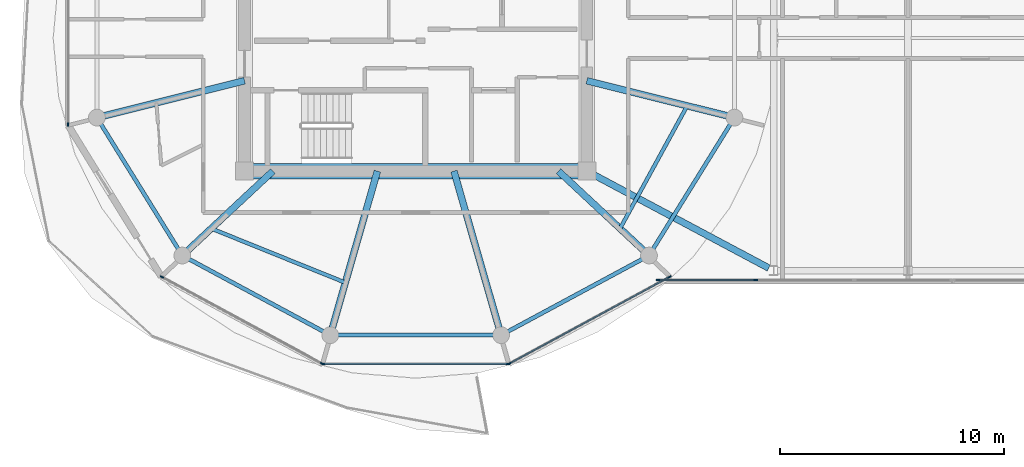
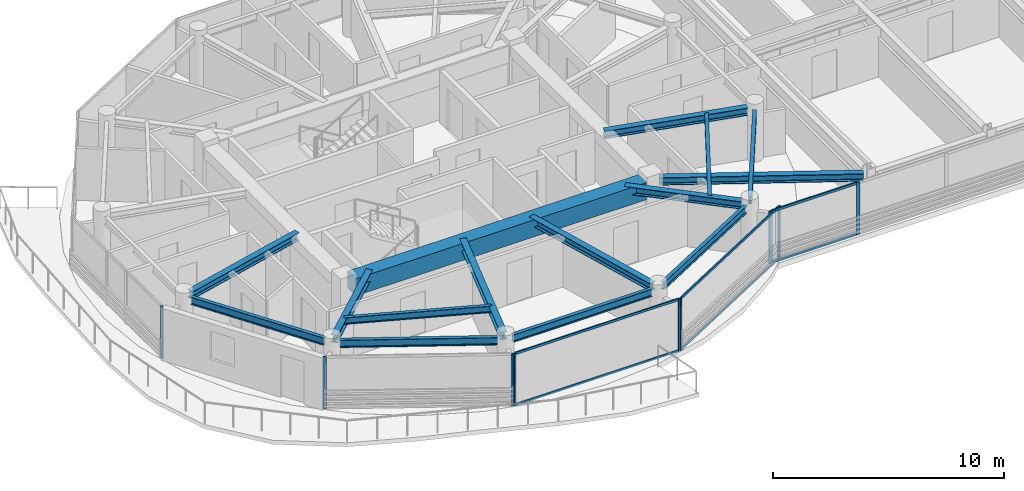
# One storey, part 3 of 23: 15 beams, 15 members, 5 elements without a shape of their own.
"""IFC4 building model written with IfcOpenShell, lengths in metres."""

from ifc_helpers import new_model, si_unit, direction, frame, origin, origin_2d, place, context, subcontext, project, spatial, rectangle, i_section, extrude, source, transform, mapped, material, layer, layer_set, material_profile, profile_set, type_object, type_shapes, element, aggregate, save


model = new_model("IFC4")

# Units and contexts
model_context = context("Model", 3, precision=1e-05, world=origin(), true_north=direction((0.0, 1.0)))
body_context = subcontext(model_context, "Body", "Model", "MODEL_VIEW")
ifc_project = project(units=[si_unit("LENGTHUNIT", "METRE"), si_unit("AREAUNIT", "SQUARE_METRE"), si_unit("VOLUMEUNIT", "CUBIC_METRE"), si_unit("PLANEANGLEUNIT", "RADIAN"), si_unit("MASSUNIT", "GRAM", prefix="KILO")], contexts=[model_context])

# Site, building, storey
site_placement = place(None, origin())
site = spatial("IfcSite", under=ifc_project, at=site_placement, CompositionType="ELEMENT")
building_placement = place(site_placement, origin())
building = spatial("IfcBuilding", under=site, at=building_placement, Name="Norrkilde Senior Care Towers", CompositionType="ELEMENT")
storey_placement = place(building_placement, frame((0.0, 0.0, 216.949951171875)))
storey = spatial("IfcBuildingStorey", under=building, at=storey_placement, Name="L67", CompositionType="ELEMENT", Elevation=216.949951171875)

# Beams
ifc_material_1 = material(Name="Concrete C60/75", Category="concrete")
ifc_material_profile_1 = material_profile(ifc_material_1, rectangle(XDim=0.699951171875, YDim=0.89990234375, at=origin_2d()), Name="RC BM 700x900")
ifc_profile_set_1 = profile_set([ifc_material_profile_1], Name="Concrete C60/75")
beam_type_1 = type_object("IfcBeamType", Name="Core Coupling Girder 700x900", PredefinedType="USERDEFINED", material=ifc_profile_set_1)
shared_shape_1 = source(origin(), body_context, "Body", "SweptSolid", [
    extrude(rectangle(XDim=0.699951171875, YDim=0.89990234375, at=origin_2d()), origin(), (0.0, 0.0, 1.0), 14.5400390625),
])
type_shapes(beam_type_1, [shared_shape_1])
beam_1_placement = place(storey_placement, frame((-35.27001953125, -5.949951171875, 2.31005859375), z_axis=(1.0, 0.0, 0.0), x_axis=(0.0, 1.0, 0.0)))
element("IfcBeam", 1, at=beam_1_placement, inside=storey, type_object=beam_type_1, Name="L67 Core W S Coupling Girder", ObjectType="GIRDER", PredefinedType="USERDEFINED", context=body_context, shape_type="MappedRepresentation", body=[
    mapped(shared_shape_1, transform((0.0, 0.0, 0.0), x_axis=(1.0, 0.0, 0.0), y_axis=(0.0, 1.0, 0.0), z_axis=(0.0, 0.0, 1.0), scale=1.0)),
])
ifc_material_2 = material(Name="Steel S355", Category="steel")
ifc_material_profile_2 = material_profile(ifc_material_2, i_section(OverallWidth=0.179931640625, OverallDepth=0.39990234375, WebThickness=0.008544921875, FlangeThickness=0.013427734375, FilletRadius=0.02099609375, at=origin_2d()), Name="IPE 400")
ifc_profile_set_2 = profile_set([ifc_material_profile_2], Name="Steel S355")
beam_type_2 = type_object("IfcBeamType", Name="Perimeter Ring Spandrel Z4 IPE400", PredefinedType="SPANDREL", material=ifc_profile_set_2)
shared_shape_2 = source(origin(), body_context, "Body", "SweptSolid", [
    extrude(i_section(OverallWidth=0.179931640625, OverallDepth=0.39990234375, WebThickness=0.008544921875, FlangeThickness=0.013427734375, FilletRadius=0.02099609375, at=origin_2d()), origin(), (0.0, 0.0, 1.0), 6.58056640625),
])
for number, where, z_axis, x_axis, name in (
    (2, (-42.071044921875, -3.843505859375, 2.56005859375), (0.526529583789, -0.850156807533, 0.0), (0.850156807533, 0.526529583789, 0.0), "L67 Drum W Perimeter Spandrel 07"),
    (3, (-17.393798828125, -9.43798828125, 2.56005859375), (0.526529583789, 0.850156807533, 0.0), (-0.850156807533, 0.526529583789, 0.0), "L67 Drum W Perimeter Spandrel 11"),
):
    element("IfcBeam", number, at=place(storey_placement, frame(where, z_axis=z_axis, x_axis=x_axis)), inside=storey, type_object=beam_type_2, Name=name, PredefinedType="SPANDREL", context=body_context, shape_type="MappedRepresentation", body=[
        mapped(shared_shape_2, transform((0.0, 0.0, 0.0), x_axis=(1.0, 0.0, 0.0), y_axis=(0.0, 1.0, 0.0), z_axis=(0.0, 0.0, 1.0), scale=1.0)),
    ])
ifc_material_profile_3 = material_profile(ifc_material_2, i_section(OverallWidth=0.300048828125, OverallDepth=0.39990234375, WebThickness=0.013427734375, FlangeThickness=0.02392578125, FilletRadius=0.027099609375, at=origin_2d()), Name="HEB 400")
ifc_profile_set_3 = profile_set([ifc_material_profile_3], Name="Steel S355")
beam_type_3 = type_object("IfcBeamType", Name="Radial Floor Beam Z4 HEB400", PredefinedType="BEAM", material=ifc_profile_set_3)
shared_shape_3 = source(origin(), body_context, "Body", "SweptSolid", [
    extrude(i_section(OverallWidth=0.300048828125, OverallDepth=0.39990234375, WebThickness=0.013427734375, FlangeThickness=0.02392578125, FilletRadius=0.027099609375, at=origin_2d()), origin(), (0.0, 0.0, 1.0), 6.465087890625),
])
for number, where, z_axis, x_axis, name in (
    (4, (-35.64990234375, -1.910888671875, 2.56005859375), (-0.970195788563, -0.242322371758, 0.0), (0.242322371758, -0.970195788563, 0.0), "L67 Drum W Radial Floor Beam 07"),
    (5, (-20.35009765625, -1.910888671875, 2.56005859375), (0.970195788563, -0.242322371758, 0.0), (0.242322371758, 0.970195788563, 0.0), "L67 Drum W Radial Floor Beam 12"),
):
    element("IfcBeam", number, at=place(storey_placement, frame(where, z_axis=z_axis, x_axis=x_axis)), inside=storey, type_object=beam_type_3, Name=name, PredefinedType="BEAM", context=body_context, shape_type="MappedRepresentation", body=[
        mapped(shared_shape_3, transform((0.0, 0.0, 0.0), x_axis=(1.0, 0.0, 0.0), y_axis=(0.0, 1.0, 0.0), z_axis=(0.0, 0.0, 1.0), scale=1.0)),
    ])
shared_shape_4 = source(origin(), body_context, "Body", "SweptSolid", [
    extrude(i_section(OverallWidth=0.179931640625, OverallDepth=0.39990234375, WebThickness=0.008544921875, FlangeThickness=0.013427734375, FilletRadius=0.02099609375, at=origin_2d()), origin(), (0.0, 0.0, 1.0), 6.839111328125),
])
for number, where, z_axis, x_axis, name in (
    (6, (-38.134765625, -9.881591796875, 2.56005859375), (0.880563930732, -0.473927382511, 0.0), (0.473927382511, 0.880563930732, 0.0), "L67 Drum W Perimeter Spandrel 08"),
    (7, (-23.887451171875, -13.122802734375, 2.56005859375), (0.880563930732, 0.473927382511, 0.0), (-0.473927382511, 0.880563930732, 0.0), "L67 Drum W Perimeter Spandrel 10"),
):
    element("IfcBeam", number, at=place(storey_placement, frame(where, z_axis=z_axis, x_axis=x_axis)), inside=storey, type_object=beam_type_2, Name=name, PredefinedType="SPANDREL", context=body_context, shape_type="MappedRepresentation", body=[
        mapped(shared_shape_4, transform((0.0, 0.0, 0.0), x_axis=(1.0, 0.0, 0.0), y_axis=(0.0, 1.0, 0.0), z_axis=(0.0, 0.0, 1.0), scale=1.0)),
    ])
shared_shape_5 = source(origin(), body_context, "Body", "SweptSolid", [
    extrude(i_section(OverallWidth=0.300048828125, OverallDepth=0.39990234375, WebThickness=0.013427734375, FlangeThickness=0.02392578125, FilletRadius=0.027099609375, at=origin_2d()), origin(), (0.0, 0.0, 1.0), 5.197998046875),
])
for number, where, z_axis, x_axis, name in (
    (8, (-34.3828125, -5.949951171875, 2.56005859375), (-0.731448749334, -0.681896419625, 0.0), (0.681896419625, -0.731448749334, 0.0), "L67 Drum W Radial Floor Beam 08"),
    (9, (-21.6171875, -5.949951171875, 2.56005859375), (0.731448749334, -0.681896419625, 0.0), (0.681896419625, 0.731448749334, 0.0), "L67 Drum W Radial Floor Beam 11"),
):
    element("IfcBeam", number, at=place(storey_placement, frame(where, z_axis=z_axis, x_axis=x_axis)), inside=storey, type_object=beam_type_3, Name=name, PredefinedType="BEAM", context=body_context, shape_type="MappedRepresentation", body=[
        mapped(shared_shape_5, transform((0.0, 0.0, 0.0), x_axis=(1.0, 0.0, 0.0), y_axis=(0.0, 1.0, 0.0), z_axis=(0.0, 0.0, 1.0), scale=1.0)),
    ])
shared_shape_6 = source(origin(), body_context, "Body", "SweptSolid", [
    extrude(i_section(OverallWidth=0.179931640625, OverallDepth=0.39990234375, WebThickness=0.008544921875, FlangeThickness=0.013427734375, FilletRadius=0.02099609375, at=origin_2d()), origin(), (0.0, 0.0, 1.0), 6.96533203125),
])
type_shapes(beam_type_2, [shared_shape_2, shared_shape_4, shared_shape_6])
beam_2_placement = place(storey_placement, frame((-31.482666015625, -13.281494140625, 2.56005859375), z_axis=(1.0, 0.0, 0.0), x_axis=(0.0, 1.0, 0.0)))
element("IfcBeam", 10, at=beam_2_placement, inside=storey, type_object=beam_type_2, Name="L67 Drum W Perimeter Spandrel 09", PredefinedType="SPANDREL", context=body_context, shape_type="MappedRepresentation", body=[
    mapped(shared_shape_6, transform((0.0, 0.0, 0.0), x_axis=(1.0, 0.0, 0.0), y_axis=(0.0, 1.0, 0.0), z_axis=(0.0, 0.0, 1.0), scale=1.0)),
])
shared_shape_7 = source(origin(), body_context, "Body", "SweptSolid", [
    extrude(i_section(OverallWidth=0.300048828125, OverallDepth=0.39990234375, WebThickness=0.013427734375, FlangeThickness=0.02392578125, FilletRadius=0.027099609375, at=origin_2d()), origin(), (0.0, 0.0, 1.0), 7.29345703125),
])
for number, where, z_axis, x_axis, name in (
    (11, (-29.710205078125, -5.949951171875, 2.56005859375), (-0.276263751906, -0.961081858836, 0.0), (0.961081858836, -0.276263751906, 0.0), "L67 Drum W Radial Floor Beam 09"),
    (12, (-26.289794921875, -5.949951171875, 2.56005859375), (0.276263751906, -0.961081858836, 0.0), (0.961081858836, 0.276263751906, 0.0), "L67 Drum W Radial Floor Beam 10"),
):
    element("IfcBeam", number, at=place(storey_placement, frame(where, z_axis=z_axis, x_axis=x_axis)), inside=storey, type_object=beam_type_3, Name=name, PredefinedType="BEAM", context=body_context, shape_type="MappedRepresentation", body=[
        mapped(shared_shape_7, transform((0.0, 0.0, 0.0), x_axis=(1.0, 0.0, 0.0), y_axis=(0.0, 1.0, 0.0), z_axis=(0.0, 0.0, 1.0), scale=1.0)),
    ])
ifc_material_profile_4 = material_profile(ifc_material_2, i_section(OverallWidth=0.169921875, OverallDepth=0.360107421875, WebThickness=0.008056640625, FlangeThickness=0.0126953125, FilletRadius=0.01806640625, at=origin_2d()), Name="IPE 360")
ifc_profile_set_4 = profile_set([ifc_material_profile_4], Name="Steel S355")
beam_type_4 = type_object("IfcBeamType", Name="Secondary Floor Joist IPE360", PredefinedType="JOIST", material=ifc_profile_set_4)
shared_shape_8 = source(origin(), body_context, "Body", "SweptSolid", [
    extrude(i_section(OverallWidth=0.169921875, OverallDepth=0.360107421875, WebThickness=0.008056640625, FlangeThickness=0.0126953125, FilletRadius=0.01806640625, at=origin_2d()), origin(), (0.0, 0.0, 1.0), 6.461669921875),
])
beam_3_placement = place(storey_placement, frame((-37.134765625, -8.515380859375, 2.580078125), z_axis=(0.927225942298, -0.374502405772, 0.0), x_axis=(0.374502405772, 0.927225942298, 0.0)))
element("IfcBeam", 13, at=beam_3_placement, inside=storey, type_object=beam_type_4, Name="L67 Drum W Secondary Floor Joist 3", PredefinedType="JOIST", context=body_context, shape_type="MappedRepresentation", body=[
    mapped(shared_shape_8, transform((0.0, 0.0, 0.0), x_axis=(1.0, 0.0, 0.0), y_axis=(0.0, 1.0, 0.0), z_axis=(0.0, 0.0, 1.0), scale=1.0)),
])
shared_shape_9 = source(origin(), body_context, "Body", "SweptSolid", [
    extrude(i_section(OverallWidth=0.169921875, OverallDepth=0.360107421875, WebThickness=0.008056640625, FlangeThickness=0.0126953125, FilletRadius=0.01806640625, at=origin_2d()), origin(), (0.0, 0.0, 1.0), 6.25146484375),
])
type_shapes(beam_type_4, [shared_shape_8, shared_shape_9])
beam_4_placement = place(storey_placement, frame((-18.865234375, -8.515380859375, 2.580078125), z_axis=(0.480115752653, 0.877205143655, 0.0), x_axis=(-0.877205143655, 0.480115752653, 0.0)))
element("IfcBeam", 14, at=beam_4_placement, inside=storey, type_object=beam_type_4, Name="L67 Drum W Secondary Floor Joist 4", PredefinedType="JOIST", context=body_context, shape_type="MappedRepresentation", body=[
    mapped(shared_shape_9, transform((0.0, 0.0, 0.0), x_axis=(1.0, 0.0, 0.0), y_axis=(0.0, 1.0, 0.0), z_axis=(0.0, 0.0, 1.0), scale=1.0)),
])
shared_shape_10 = source(origin(), body_context, "Body", "SweptSolid", [
    extrude(i_section(OverallWidth=0.300048828125, OverallDepth=0.39990234375, WebThickness=0.013427734375, FlangeThickness=0.02392578125, FilletRadius=0.027099609375, at=origin_2d()), origin(), (0.0, 0.0, 1.0), 8.831787109375),
])
type_shapes(beam_type_3, [shared_shape_3, shared_shape_5, shared_shape_7, shared_shape_10])
beam_5_placement = place(storey_placement, frame((-20.0146484375, -6.128662109375, 2.56005859375), z_axis=(0.882492172381, -0.470327083727, 0.0), x_axis=(0.470327083727, 0.882492172381, 0.0)))
element("IfcBeam", 15, at=beam_5_placement, inside=storey, type_object=beam_type_3, Name="L67 Sky-Gate Bridge Girder S1", PredefinedType="BEAM", context=body_context, shape_type="MappedRepresentation", body=[
    mapped(shared_shape_10, transform((0.0, 0.0, 0.0), x_axis=(1.0, 0.0, 0.0), y_axis=(0.0, 1.0, 0.0), z_axis=(0.0, 0.0, 1.0), scale=1.0)),
])

# Curtain wall, members
ifc_material_3 = material(Name="Triple Low-E Insulated Glazing", Category="glass")
ifc_layer_1 = layer(ifc_material_3, 0.18505859375)
ifc_layer_set_1 = layer_set([ifc_layer_1], Name="Triple Low-E Insulated Glazing")
curtain_wall_type_1 = type_object("IfcCurtainWallType", Name="CW6 Zone 4 Crown Pavilion Curtain Wall", PredefinedType="NOTDEFINED", material=ifc_layer_set_1)
curtain_wall_1_placement = place(storey_placement, origin())
curtain_wall_1 = element("IfcCurtainWall", 16, at=curtain_wall_1_placement, inside=storey, type_object=curtain_wall_type_1, Name="L67 Drum W Curtain Wall 08", PredefinedType="NOTDEFINED")
ifc_material_4 = material(Name="Anodised Aluminium", Category="aluminium")
ifc_material_profile_5 = material_profile(ifc_material_4, rectangle(XDim=0.06005859375, YDim=0.1201171875, at=origin_2d()), Name="ALU TRAN 60x120")
ifc_profile_set_5 = profile_set([ifc_material_profile_5], Name="Anodised Aluminium")
member_type_1 = type_object("IfcMemberType", Name="Curtain Wall Transom Typical 60x120", PredefinedType="USERDEFINED", material=ifc_profile_set_5)
shared_shape_11 = source(origin(), body_context, "Body", "SweptSolid", [
    extrude(rectangle(XDim=0.06005859375, YDim=0.1201171875, at=origin_2d()), origin(), (0.0, 0.0, 1.0), 8.19384765625),
])
member_1_placement = place(storey_placement, frame((-23.903076171875, -14.566162109375, 0.030029296875), z_axis=(-1.0, 0.0, 0.0), x_axis=(0.0, -1.0, 0.0)))
member_1 = element("IfcMember", 17, at=member_1_placement, type_object=member_type_1, Name="CW-6 transom 1.1", ObjectType="TRANSOM", PredefinedType="USERDEFINED", context=body_context, shape_type="MappedRepresentation", body=[
    mapped(shared_shape_11, transform((0.0, 0.0, 0.0), x_axis=(1.0, 0.0, 0.0), y_axis=(0.0, 1.0, 0.0), z_axis=(0.0, 0.0, 1.0), scale=1.0)),
])
member_2_placement = place(storey_placement, frame((-23.903076171875, -14.566162109375, 2.72998046875), z_axis=(-1.0, 0.0, 0.0), x_axis=(0.0, -1.0, 0.0)))
member_2 = element("IfcMember", 18, at=member_2_placement, type_object=member_type_1, Name="CW-6 transom 1.2", ObjectType="TRANSOM", PredefinedType="USERDEFINED", context=body_context, shape_type="MappedRepresentation", body=[
    mapped(shared_shape_11, transform((0.0, 0.0, 0.0), x_axis=(1.0, 0.0, 0.0), y_axis=(0.0, 1.0, 0.0), z_axis=(0.0, 0.0, 1.0), scale=1.0)),
])

curtain_wall_2_placement = place(storey_placement, origin())
curtain_wall_2 = element("IfcCurtainWall", 19, at=curtain_wall_2_placement, inside=storey, type_object=curtain_wall_type_1, Name="L67 Drum W Curtain Wall 09", PredefinedType="NOTDEFINED")
shared_shape_12 = source(origin(), body_context, "Body", "SweptSolid", [
    extrude(rectangle(XDim=0.06005859375, YDim=0.1201171875, at=origin_2d()), origin(), (0.0, 0.0, 1.0), 8.0673828125),
])
type_shapes(member_type_1, [shared_shape_11, shared_shape_12])
member_3_placement = place(storey_placement, frame((-16.686767578125, -10.694091796875, 0.030029296875), z_axis=(-0.87937750072, -0.476125205411, 0.0), x_axis=(0.476125205411, -0.87937750072, 0.0)))
member_3 = element("IfcMember", 20, at=member_3_placement, type_object=member_type_1, Name="CW-6 transom 1.1", ObjectType="TRANSOM", PredefinedType="USERDEFINED", context=body_context, shape_type="MappedRepresentation", body=[
    mapped(shared_shape_12, transform((0.0, 0.0, 0.0), x_axis=(1.0, 0.0, 0.0), y_axis=(0.0, 1.0, 0.0), z_axis=(0.0, 0.0, 1.0), scale=1.0)),
])
member_4_placement = place(storey_placement, frame((-16.686767578125, -10.694091796875, 2.72998046875), z_axis=(-0.87937750072, -0.476125205411, 0.0), x_axis=(0.476125205411, -0.87937750072, 0.0)))
member_4 = element("IfcMember", 21, at=member_4_placement, type_object=member_type_1, Name="CW-6 transom 1.2", ObjectType="TRANSOM", PredefinedType="USERDEFINED", context=body_context, shape_type="MappedRepresentation", body=[
    mapped(shared_shape_12, transform((0.0, 0.0, 0.0), x_axis=(1.0, 0.0, 0.0), y_axis=(0.0, 1.0, 0.0), z_axis=(0.0, 0.0, 1.0), scale=1.0)),
])

# Curtain wall, member
curtain_wall_3_placement = place(storey_placement, origin())
curtain_wall_3 = element("IfcCurtainWall", 22, at=curtain_wall_3_placement, inside=storey, type_object=curtain_wall_type_1, Name="L67 Drum W Curtain Wall 05", PredefinedType="NOTDEFINED")
ifc_material_profile_6 = material_profile(ifc_material_4, rectangle(XDim=0.06494140625, YDim=0.14990234375, at=origin_2d()), Name="ALU MULL 65x150")
ifc_profile_set_6 = profile_set([ifc_material_profile_6], Name="Anodised Aluminium")
member_type_2 = type_object("IfcMemberType", Name="Curtain Wall Mullion Z3-Z4 65x150", PredefinedType="MULLION", material=ifc_profile_set_6)
shared_shape_13 = source(origin(), body_context, "Body", "SweptSolid", [
    extrude(rectangle(XDim=0.06494140625, YDim=0.14990234375, at=origin_2d()), origin(), (0.0, 0.0, 1.0), 2.760009765625),
])
type_shapes(member_type_2, [shared_shape_13])
member_5_placement = place(storey_placement, frame((-43.531982421875, -3.87060546875, 0.0), z_axis=(0.0, 0.0, 1.0), x_axis=(-1.0, 0.0, 0.0)))
member_5 = element("IfcMember", 23, at=member_5_placement, type_object=member_type_2, Name="CW-6 mullion 1", PredefinedType="MULLION", context=body_context, shape_type="MappedRepresentation", body=[
    mapped(shared_shape_13, transform((0.0, 0.0, 0.0), x_axis=(1.0, 0.0, 0.0), y_axis=(0.0, 1.0, 0.0), z_axis=(0.0, 0.0, 1.0), scale=1.0)),
])
aggregate(curtain_wall_3, [member_5])

# Curtain wall, members
curtain_wall_4_placement = place(storey_placement, origin())
curtain_wall_4 = element("IfcCurtainWall", 24, at=curtain_wall_4_placement, inside=storey, type_object=curtain_wall_type_1, Name="L67 Drum W Curtain Wall 07", PredefinedType="NOTDEFINED")
member_6_placement = place(storey_placement, frame((-32.1904296875, -14.55078125, 0.0), z_axis=(0.0, 0.0, 1.0), x_axis=(-0.476132676136, -0.879373455772, 0.0)))
member_6 = element("IfcMember", 25, at=member_6_placement, type_object=member_type_2, Name="CW-6 mullion 1", PredefinedType="MULLION", context=body_context, shape_type="MappedRepresentation", body=[
    mapped(shared_shape_13, transform((0.0, 0.0, 0.0), x_axis=(1.0, 0.0, 0.0), y_axis=(0.0, 1.0, 0.0), z_axis=(0.0, 0.0, 1.0), scale=1.0)),
])
member_7_placement = place(storey_placement, frame((-39.341796875, -10.6787109375, 0.0), z_axis=(0.0, 0.0, 1.0), x_axis=(-0.476132676136, -0.879373455772, 0.0)))
member_7 = element("IfcMember", 26, at=member_7_placement, type_object=member_type_2, Name="CW-6 mullion 2", PredefinedType="MULLION", context=body_context, shape_type="MappedRepresentation", body=[
    mapped(shared_shape_13, transform((0.0, 0.0, 0.0), x_axis=(1.0, 0.0, 0.0), y_axis=(0.0, 1.0, 0.0), z_axis=(0.0, 0.0, 1.0), scale=1.0)),
])
aggregate(curtain_wall_4, [member_6, member_7])

# Member
member_8_placement = place(storey_placement, frame((-23.87060546875, -14.566162109375, 0.0), z_axis=(0.0, 0.0, 1.0), x_axis=(0.0, -1.0, 0.0)))
member_8 = element("IfcMember", 27, at=member_8_placement, type_object=member_type_2, Name="CW-6 mullion 1", PredefinedType="MULLION", context=body_context, shape_type="MappedRepresentation", body=[
    mapped(shared_shape_13, transform((0.0, 0.0, 0.0), x_axis=(1.0, 0.0, 0.0), y_axis=(0.0, 1.0, 0.0), z_axis=(0.0, 0.0, 1.0), scale=1.0)),
])

member_9_placement = place(storey_placement, frame((-32.12939453125, -14.566162109375, 0.0), z_axis=(0.0, 0.0, 1.0), x_axis=(0.0, -1.0, 0.0)))
member_9 = element("IfcMember", 28, at=member_9_placement, type_object=member_type_2, Name="CW-6 mullion 2", PredefinedType="MULLION", context=body_context, shape_type="MappedRepresentation", body=[
    mapped(shared_shape_13, transform((0.0, 0.0, 0.0), x_axis=(1.0, 0.0, 0.0), y_axis=(0.0, 1.0, 0.0), z_axis=(0.0, 0.0, 1.0), scale=1.0)),
])

aggregate(curtain_wall_1, [member_8, member_9, member_1, member_2])

member_10_placement = place(storey_placement, frame((-16.658203125, -10.6787109375, 0.0), z_axis=(0.0, 0.0, 1.0), x_axis=(0.476132676136, -0.879373455772, 0.0)))
member_10 = element("IfcMember", 29, at=member_10_placement, type_object=member_type_2, Name="CW-6 mullion 1", PredefinedType="MULLION", context=body_context, shape_type="MappedRepresentation", body=[
    mapped(shared_shape_13, transform((0.0, 0.0, 0.0), x_axis=(1.0, 0.0, 0.0), y_axis=(0.0, 1.0, 0.0), z_axis=(0.0, 0.0, 1.0), scale=1.0)),
])

member_11_placement = place(storey_placement, frame((-23.8095703125, -14.55078125, 0.0), z_axis=(0.0, 0.0, 1.0), x_axis=(0.476132676136, -0.879373455772, 0.0)))
member_11 = element("IfcMember", 30, at=member_11_placement, type_object=member_type_2, Name="CW-6 mullion 2", PredefinedType="MULLION", context=body_context, shape_type="MappedRepresentation", body=[
    mapped(shared_shape_13, transform((0.0, 0.0, 0.0), x_axis=(1.0, 0.0, 0.0), y_axis=(0.0, 1.0, 0.0), z_axis=(0.0, 0.0, 1.0), scale=1.0)),
])

aggregate(curtain_wall_2, [member_10, member_11, member_3, member_4])

# Curtain wall, members
ifc_layer_2 = layer(ifc_material_3, 0.2099609375)
ifc_layer_set_2 = layer_set([ifc_layer_2], Name="Triple Low-E Insulated Glazing")
curtain_wall_type_2 = type_object("IfcCurtainWallType", Name="CW5 Sky-Gate Bridge Curtain Wall", PredefinedType="NOTDEFINED", material=ifc_layer_set_2)
curtain_wall_5_placement = place(storey_placement, origin())
curtain_wall_5 = element("IfcCurtainWall", 31, at=curtain_wall_5_placement, inside=storey, type_object=curtain_wall_type_2, Name="L67 Sky-Gate Bridge South Curtain Wall 3", PredefinedType="NOTDEFINED")
ifc_material_profile_7 = material_profile(ifc_material_4, rectangle(XDim=0.06494140625, YDim=0.1298828125, at=origin_2d()), Name="ALU TRAN 65x130")
ifc_profile_set_7 = profile_set([ifc_material_profile_7], Name="Anodised Aluminium")
member_type_3 = type_object("IfcMemberType", Name="Curtain Wall Transom Heavy 65x130", PredefinedType="USERDEFINED", material=ifc_profile_set_7)
shared_shape_14 = source(origin(), body_context, "Body", "SweptSolid", [
    extrude(rectangle(XDim=0.06494140625, YDim=0.1298828125, at=origin_2d()), origin(), (0.0, 0.0, 1.0), 4.294921875),
])
type_shapes(member_type_3, [shared_shape_14])
member_12_placement = place(storey_placement, frame((-12.8349609375, -10.820068359375, 0.032470703125), z_axis=(-1.0, 0.0, 0.0), x_axis=(0.0, -1.0, 0.0)))
member_12 = element("IfcMember", 32, at=member_12_placement, type_object=member_type_3, Name="CW-5 transom 3.1", ObjectType="TRANSOM", PredefinedType="USERDEFINED", context=body_context, shape_type="MappedRepresentation", body=[
    mapped(shared_shape_14, transform((0.0, 0.0, 0.0), x_axis=(1.0, 0.0, 0.0), y_axis=(0.0, 1.0, 0.0), z_axis=(0.0, 0.0, 1.0), scale=1.0)),
])
member_13_placement = place(storey_placement, frame((-12.8349609375, -10.820068359375, 2.7275390625), z_axis=(-1.0, 0.0, 0.0), x_axis=(0.0, -1.0, 0.0)))
member_13 = element("IfcMember", 33, at=member_13_placement, type_object=member_type_3, Name="CW-5 transom 3.2", ObjectType="TRANSOM", PredefinedType="USERDEFINED", context=body_context, shape_type="MappedRepresentation", body=[
    mapped(shared_shape_14, transform((0.0, 0.0, 0.0), x_axis=(1.0, 0.0, 0.0), y_axis=(0.0, 1.0, 0.0), z_axis=(0.0, 0.0, 1.0), scale=1.0)),
])
ifc_material_profile_8 = material_profile(ifc_material_4, rectangle(XDim=0.070068359375, YDim=0.169921875, at=origin_2d()), Name="ALU MULL 70x170")
ifc_profile_set_8 = profile_set([ifc_material_profile_8], Name="Anodised Aluminium")
member_type_4 = type_object("IfcMemberType", Name="Curtain Wall Mullion Heavy 70x170", PredefinedType="MULLION", material=ifc_profile_set_8)
shared_shape_15 = source(origin(), body_context, "Body", "SweptSolid", [
    extrude(rectangle(XDim=0.070068359375, YDim=0.169921875, at=origin_2d()), origin(), (0.0, 0.0, 1.0), 2.760009765625),
])
type_shapes(member_type_4, [shared_shape_15])
member_14_placement = place(storey_placement, frame((-12.800048828125, -10.820068359375, 0.0), z_axis=(0.0, 0.0, 1.0), x_axis=(0.0, -1.0, 0.0)))
member_14 = element("IfcMember", 34, at=member_14_placement, type_object=member_type_4, Name="CW-5 mullion 3", PredefinedType="MULLION", context=body_context, shape_type="MappedRepresentation", body=[
    mapped(shared_shape_15, transform((0.0, 0.0, 0.0), x_axis=(1.0, 0.0, 0.0), y_axis=(0.0, 1.0, 0.0), z_axis=(0.0, 0.0, 1.0), scale=1.0)),
])
member_15_placement = place(storey_placement, frame((-17.1650390625, -10.820068359375, 0.0), z_axis=(0.0, 0.0, 1.0), x_axis=(0.0, -1.0, 0.0)))
member_15 = element("IfcMember", 35, at=member_15_placement, type_object=member_type_4, Name="CW-5 mullion 4", PredefinedType="MULLION", context=body_context, shape_type="MappedRepresentation", body=[
    mapped(shared_shape_15, transform((0.0, 0.0, 0.0), x_axis=(1.0, 0.0, 0.0), y_axis=(0.0, 1.0, 0.0), z_axis=(0.0, 0.0, 1.0), scale=1.0)),
])
aggregate(curtain_wall_5, [member_14, member_15, member_12, member_13])

save(model, "model.ifc")
